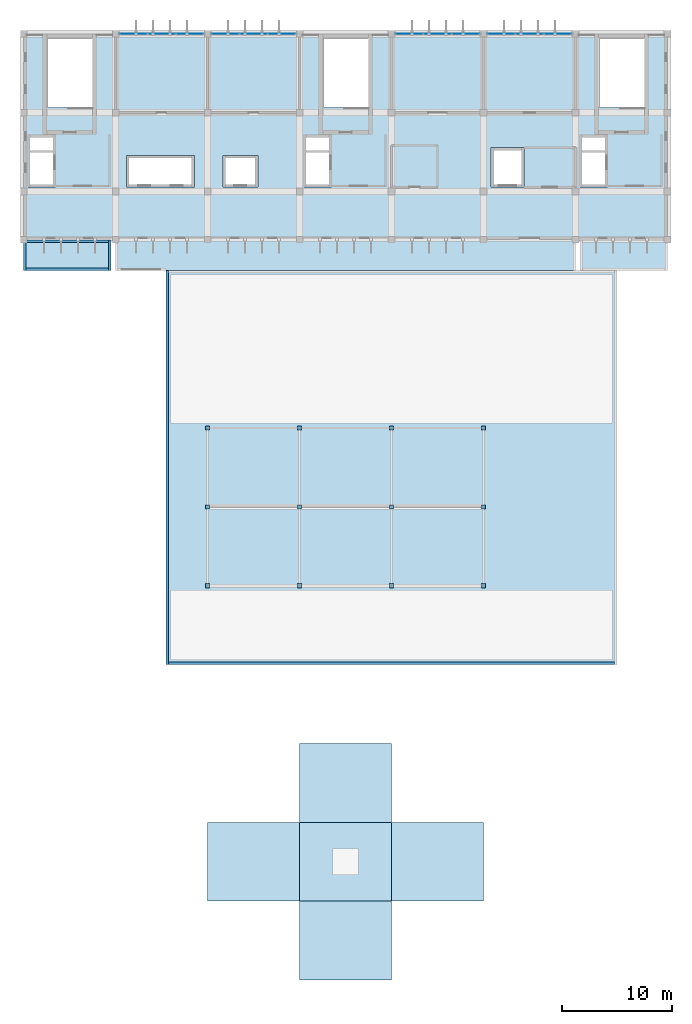
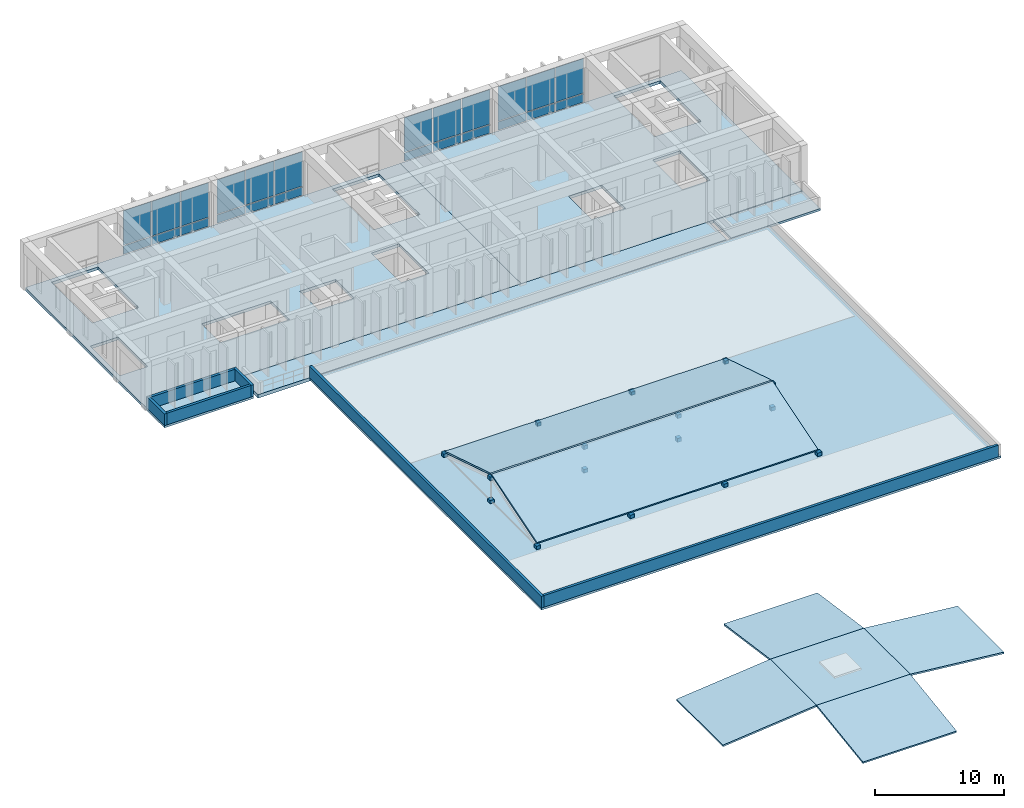
# One storey, part 10 of 16: 48 plates, 13 slabs, 6 walls, 4 elements without a shape of their own.
"""IFC4 building model written with IfcOpenShell, lengths in metres."""

from ifc_helpers import new_model, si_unit, direction, frame, frame_2d, origin, origin_2d, place, context, subcontext, project, spatial, polyline, rectangle, outline, extrude, material, layer, layer_set, type_object, element, aggregate, save


model = new_model("IFC4")

# Units and contexts
model_context = context("Model", 3, precision=1e-05, world=origin(), true_north=direction((0.0, 1.0)))
body_context = subcontext(model_context, "Body", "Model", "MODEL_VIEW")
ifc_project = project(units=[si_unit("LENGTHUNIT", "METRE"), si_unit("AREAUNIT", "SQUARE_METRE"), si_unit("VOLUMEUNIT", "CUBIC_METRE"), si_unit("PLANEANGLEUNIT", "RADIAN"), si_unit("MASSUNIT", "GRAM", prefix="KILO")], contexts=[model_context])

# Site, building, storey
site_placement = place(None, origin())
site = spatial("IfcSite", under=ifc_project, at=site_placement, CompositionType="ELEMENT")
building_placement = place(site_placement, origin())
building = spatial("IfcBuilding", under=site, at=building_placement, Name="Kenerak Square Central Library", CompositionType="ELEMENT")
storey_placement = place(building_placement, frame((0.0, 0.0, 27.840087890625)))
storey = spatial("IfcBuildingStorey", under=building, at=storey_placement, Name="L06", CompositionType="ELEMENT", Elevation=27.840087890625)

# Slabs
ifc_material_1 = material(Name="Precast concrete C40/50", Category="concrete")
ifc_layer_1 = layer(ifc_material_1, 0.14990234375)
ifc_layer_set_1 = layer_set([ifc_layer_1], Name="Precast concrete C40/50")
slab_type_1 = type_object("IfcSlabType", Name="Canopy and Lantern Eave Roof Deck RS-150 C40/50", PredefinedType="ROOF", material=ifc_layer_set_1)
for number, where, z_axis, x_axis, name in (
    (1, (75.199951171875, 60.06005859375, 0.47998046875), (0.0, -0.297496636914, 0.954722866085), (1.0, 0.0, 0.0), "Atrium Skylight Lantern Slope S"),
    (2, (75.199951171875, 67.280029296875, 2.679931640625), (0.0, 0.297496636914, 0.954722866085), (1.0, 0.0, 0.0), "Atrium Skylight Lantern Slope N"),
):
    element("IfcSlab", number, at=place(storey_placement, frame(where, z_axis=z_axis, x_axis=x_axis)), inside=storey, type_object=slab_type_1, Name=name, PredefinedType="ROOF", context=body_context, shape_type="SweptSolid", body=[
        extrude(outline(polyline([(0.0, 0.0), (25.199951171875, 0.0), (25.199951171875, 7.394877450358283), (0.0, 7.394877450358283), (0.0, 0.0)])), origin(), (0.0, 0.0, -1.0), 0.14990234375),
    ])
ifc_material_2 = material(Name="Steel S355", Category="steel")
ifc_layer_2 = layer(ifc_material_2, 0.159912109375)
ifc_layer_set_2 = layer_set([ifc_layer_2], Name="Steel S355")
slab_type_2 = type_object("IfcSlabType", Name="Gridshell Insulated Planar Roof Panel RS-160 S355", PredefinedType="ROOF", material=ifc_layer_set_2)
slab_1_placement = place(storey_placement, frame((75.199951171875, 31.199951171875, -1.22314453125), z_axis=(-0.100542943759, 0.0, 0.994932719565), x_axis=(0.994932719565, 0.0, 0.100542943759)))
element("IfcSlab", 3, at=slab_1_placement, inside=storey, type_object=slab_type_2, Name="Gridshell Roof Panel 3-3", PredefinedType="ROOF", context=body_context, shape_type="SweptSolid", body=[
    extrude(outline(polyline([(0.0, 0.0), (8.442929174196857, 0.0), (8.442929174196857, 7.199951171875), (0.0, 7.199951171875), (0.0, 0.0)])), origin(), (0.0, 0.0, -1.0), 0.159912109375),
])
slab_2_placement = place(storey_placement, frame((83.60009765625, 24.0, -1.398193359375), z_axis=(0.0, -0.140796238402, 0.990038594829), x_axis=(1.0, 0.0, 0.0)))
element("IfcSlab", 4, at=slab_2_placement, inside=storey, type_object=slab_type_2, Name="Gridshell Roof Panel 4-2", PredefinedType="ROOF", context=body_context, shape_type="SweptSolid", body=[
    extrude(outline(polyline([(0.0, 0.0), (8.39990234375, 0.0), (8.39990234375, 7.272394439446517), (0.0, 7.272394439446517), (0.0, 0.0)])), origin(), (0.0, 0.0, -1.0), 0.159912109375),
])
slab_3_placement = place(storey_placement, frame((83.60009765625, 31.199951171875, -0.374267578125), z_axis=(0.0, 0.0, 1.0), x_axis=(1.0, 0.0, 0.0)))
element("IfcSlab", 5, at=slab_3_placement, inside=storey, type_object=slab_type_2, Name="Gridshell Roof Panel 4-3", PredefinedType="ROOF", context=body_context, shape_type="SweptSolid", body=[
    extrude(outline(polyline([(0.0, 0.0), (8.39990234375, 0.0), (8.39990234375, 7.199951171875), (0.0, 7.199951171875), (0.0, 0.0)])), origin(), (0.0, 0.0, -1.0), 0.159912109375),
])
slab_4_placement = place(storey_placement, frame((83.60009765625, 38.39990234375, -0.374267578125), z_axis=(0.0, 0.140791558988, 0.990039260291), x_axis=(1.0, 0.0, 0.0)))
element("IfcSlab", 6, at=slab_4_placement, inside=storey, type_object=slab_type_2, Name="Gridshell Roof Panel 4-4", PredefinedType="ROOF", context=body_context, shape_type="SweptSolid", body=[
    extrude(outline(polyline([(0.0, 0.0), (8.39990234375, 0.0), (8.39990234375, 7.272636148169068), (0.0, 7.272636148169068), (0.0, 0.0)])), origin(), (0.0, 0.0, -1.0), 0.159912109375),
])
slab_5_placement = place(storey_placement, frame((92.0, 31.199951171875, -0.374267578125), z_axis=(0.100545836468, 0.0, 0.994932427238), x_axis=(0.994932427238, 0.0, -0.100545836468)))
element("IfcSlab", 7, at=slab_5_placement, inside=storey, type_object=slab_type_2, Name="Gridshell Roof Panel 5-3", PredefinedType="ROOF", context=body_context, shape_type="SweptSolid", body=[
    extrude(outline(polyline([(0.0, 0.0), (8.442686270736557, 0.0), (8.442686270736557, 7.199951171875002), (0.0, 7.199951171875002), (0.0, 0.0)])), origin(), (0.0, 0.0, -1.0), 0.159912109375),
])
ifc_material_3 = material(Name="Concrete C40/50", Category="concrete")
ifc_layer_3 = layer(ifc_material_3, 0.199951171875)
ifc_layer_set_3 = layer_set([ifc_layer_3], Name="Concrete C40/50")
slab_type_3 = type_object("IfcSlabType", Name="Heavyweight Stack Flat Roof Slab RS-200 C40/50", PredefinedType="ROOF", material=ifc_layer_set_3)
slab_6_placement = place(storey_placement, frame((0.0, 0.0, -0.2001953125)))
element("IfcSlab", 8, at=slab_6_placement, inside=storey, type_object=slab_type_3, Name="Stepped Stack Roof V5-L06-W", PredefinedType="ROOF", context=body_context, shape_type="SweptSolid", body=[
    extrude(outline(polyline([(58.39990234375, 88.800048828125), (66.39990234375, 88.800048828125), (66.39990234375, 91.550048828125), (58.39990234375, 91.550048828125), (58.39990234375, 88.800048828125)])), origin(), (0.0, 0.0, 1.0), 0.2001953125),
])
slab_7_placement = place(storey_placement, frame((0.0, 0.0, -0.2001953125)))
element("IfcSlab", 9, at=slab_7_placement, inside=storey, type_object=slab_type_3, Name="Stepped Stack Roof V5-L06-E", PredefinedType="ROOF", context=body_context, shape_type="SweptSolid", body=[
    extrude(outline(polyline([(109.199951171875, 88.800048828125), (117.199951171875, 88.800048828125), (117.199951171875, 91.550048828125), (109.199951171875, 91.550048828125), (109.199951171875, 88.800048828125)])), origin(), (0.0, 0.0, 1.0), 0.2001953125),
])
slab_8_placement = place(storey_placement, frame((0.0, 0.0, -0.2001953125)))
element("IfcSlab", 10, at=slab_8_placement, inside=storey, type_object=slab_type_3, Name="Atrium Wing Main Roof Slab L06", PredefinedType="ROOF", context=body_context, shape_type="SweptSolid", body=[
    extrude(outline(polyline([(71.39990234375, 52.800048828125), (71.39990234375, 88.75), (112.60009765625, 88.75), (112.60009765625, 52.800048828125), (71.39990234375, 52.800048828125)])), origin(), (0.0, 0.0, 1.0), 0.2001953125),
])

# Plates
ifc_layer_4 = layer(ifc_material_2, 0.02490234375)
ifc_layer_set_4 = layer_set([ifc_layer_4], Name="Steel S355")
plate_type_1 = type_object("IfcPlateType", Name="Lantern Cap Plate LNP-01 25mm S355", PredefinedType="USERDEFINED", material=ifc_layer_set_4)
for number, where, z_axis, x_axis, name in (
    (11, (75.199951171875, 60.0, 0.0), (0.0, 0.0, 1.0), (1.0, 0.0, 0.0), "Lantern Base Plate LNP-01 0222"),
    (12, (75.199951171875, 74.39990234375, 0.0), (0.0, 0.0, 1.0), (1.0, 0.0, 0.0), "Lantern Base Plate LNP-01 0223"),
):
    element("IfcPlate", number, at=place(storey_placement, frame(where, z_axis=z_axis, x_axis=x_axis)), inside=storey, type_object=plate_type_1, Name=name, ObjectType="GUSSET PLATE", PredefinedType="USERDEFINED", context=body_context, shape_type="SweptSolid", body=[
        extrude(rectangle(XDim=0.320068359375, YDim=0.320068359375, at=origin_2d()), origin(), (0.0, 0.0, 1.0), 0.280029296875),
    ])
for number, where, z_axis, x_axis, name in (
    (13, (75.199951171875, 60.0, -0.02001953125), (0.0, 0.0, 1.0), (1.0, 0.0, 0.0), "Lantern Node Cap Plate LNP-01 0224"),
    (14, (75.199951171875, 67.199951171875, -0.0703125), (0.0, 0.0, 1.0), (1.0, 0.0, 0.0), "Lantern Node Cap Plate LNP-01 0225"),
    (15, (75.199951171875, 67.199951171875, 2.15966796875), (0.0, 0.0, 1.0), (1.0, 0.0, 0.0), "Lantern Node Cap Plate LNP-01 0226"),
    (16, (75.199951171875, 74.39990234375, -0.02001953125), (0.0, 0.0, 1.0), (1.0, 0.0, 0.0), "Lantern Node Cap Plate LNP-01 0227"),
):
    element("IfcPlate", number, at=place(storey_placement, frame(where, z_axis=z_axis, x_axis=x_axis)), inside=storey, type_object=plate_type_1, Name=name, ObjectType="GUSSET PLATE", PredefinedType="USERDEFINED", context=body_context, shape_type="SweptSolid", body=[
        extrude(rectangle(XDim=0.3798828125, YDim=0.3798828125, at=origin_2d()), origin(), (0.0, 0.0, 1.0), 0.360107421875),
    ])
for number, where, z_axis, x_axis, name in (
    (17, (83.60009765625, 60.0, 0.0), (0.0, 0.0, 1.0), (1.0, 0.0, 0.0), "Lantern Base Plate LNP-01 0228"),
    (18, (83.60009765625, 74.39990234375, 0.0), (0.0, 0.0, 1.0), (1.0, 0.0, 0.0), "Lantern Base Plate LNP-01 0229"),
):
    element("IfcPlate", number, at=place(storey_placement, frame(where, z_axis=z_axis, x_axis=x_axis)), inside=storey, type_object=plate_type_1, Name=name, ObjectType="GUSSET PLATE", PredefinedType="USERDEFINED", context=body_context, shape_type="SweptSolid", body=[
        extrude(rectangle(XDim=0.320068359375, YDim=0.320068359375, at=origin_2d()), origin(), (0.0, 0.0, 1.0), 0.280029296875),
    ])
for number, where, z_axis, x_axis, name in (
    (19, (83.60009765625, 60.0, -0.02001953125), (0.0, 0.0, 1.0), (1.0, 0.0, 0.0), "Lantern Node Cap Plate LNP-01 0230"),
    (20, (83.60009765625, 67.199951171875, -0.0703125), (0.0, 0.0, 1.0), (1.0, 0.0, 0.0), "Lantern Node Cap Plate LNP-01 0231"),
    (21, (83.60009765625, 67.199951171875, 2.15966796875), (0.0, 0.0, 1.0), (1.0, 0.0, 0.0), "Lantern Node Cap Plate LNP-01 0232"),
    (22, (83.60009765625, 74.39990234375, -0.02001953125), (0.0, 0.0, 1.0), (1.0, 0.0, 0.0), "Lantern Node Cap Plate LNP-01 0233"),
):
    element("IfcPlate", number, at=place(storey_placement, frame(where, z_axis=z_axis, x_axis=x_axis)), inside=storey, type_object=plate_type_1, Name=name, ObjectType="GUSSET PLATE", PredefinedType="USERDEFINED", context=body_context, shape_type="SweptSolid", body=[
        extrude(rectangle(XDim=0.3798828125, YDim=0.3798828125, at=origin_2d()), origin(), (0.0, 0.0, 1.0), 0.360107421875),
    ])
for number, where, z_axis, x_axis, name in (
    (23, (92.0, 60.0, 0.0), (0.0, 0.0, 1.0), (1.0, 0.0, 0.0), "Lantern Base Plate LNP-01 0234"),
    (24, (92.0, 74.39990234375, 0.0), (0.0, 0.0, 1.0), (1.0, 0.0, 0.0), "Lantern Base Plate LNP-01 0235"),
):
    element("IfcPlate", number, at=place(storey_placement, frame(where, z_axis=z_axis, x_axis=x_axis)), inside=storey, type_object=plate_type_1, Name=name, ObjectType="GUSSET PLATE", PredefinedType="USERDEFINED", context=body_context, shape_type="SweptSolid", body=[
        extrude(rectangle(XDim=0.320068359375, YDim=0.320068359375, at=origin_2d()), origin(), (0.0, 0.0, 1.0), 0.280029296875),
    ])
for number, where, z_axis, x_axis, name in (
    (25, (92.0, 60.0, -0.02001953125), (0.0, 0.0, 1.0), (1.0, 0.0, 0.0), "Lantern Node Cap Plate LNP-01 0236"),
    (26, (92.0, 67.199951171875, -0.0703125), (0.0, 0.0, 1.0), (1.0, 0.0, 0.0), "Lantern Node Cap Plate LNP-01 0237"),
    (27, (92.0, 67.199951171875, 2.15966796875), (0.0, 0.0, 1.0), (1.0, 0.0, 0.0), "Lantern Node Cap Plate LNP-01 0238"),
    (28, (92.0, 74.39990234375, -0.02001953125), (0.0, 0.0, 1.0), (1.0, 0.0, 0.0), "Lantern Node Cap Plate LNP-01 0239"),
):
    element("IfcPlate", number, at=place(storey_placement, frame(where, z_axis=z_axis, x_axis=x_axis)), inside=storey, type_object=plate_type_1, Name=name, ObjectType="GUSSET PLATE", PredefinedType="USERDEFINED", context=body_context, shape_type="SweptSolid", body=[
        extrude(rectangle(XDim=0.3798828125, YDim=0.3798828125, at=origin_2d()), origin(), (0.0, 0.0, 1.0), 0.360107421875),
    ])
for number, where, z_axis, x_axis, name in (
    (29, (100.39990234375, 60.0, 0.0), (0.0, 0.0, 1.0), (1.0, 0.0, 0.0), "Lantern Base Plate LNP-01 0240"),
    (30, (100.39990234375, 74.39990234375, 0.0), (0.0, 0.0, 1.0), (1.0, 0.0, 0.0), "Lantern Base Plate LNP-01 0241"),
):
    element("IfcPlate", number, at=place(storey_placement, frame(where, z_axis=z_axis, x_axis=x_axis)), inside=storey, type_object=plate_type_1, Name=name, ObjectType="GUSSET PLATE", PredefinedType="USERDEFINED", context=body_context, shape_type="SweptSolid", body=[
        extrude(rectangle(XDim=0.320068359375, YDim=0.320068359375, at=origin_2d()), origin(), (0.0, 0.0, 1.0), 0.280029296875),
    ])
for number, where, z_axis, x_axis, name in (
    (31, (100.39990234375, 60.0, -0.02001953125), (0.0, 0.0, 1.0), (1.0, 0.0, 0.0), "Lantern Node Cap Plate LNP-01 0242"),
    (32, (100.39990234375, 67.199951171875, -0.0703125), (0.0, 0.0, 1.0), (1.0, 0.0, 0.0), "Lantern Node Cap Plate LNP-01 0243"),
    (33, (100.39990234375, 67.199951171875, 2.15966796875), (0.0, 0.0, 1.0), (1.0, 0.0, 0.0), "Lantern Node Cap Plate LNP-01 0244"),
    (34, (100.39990234375, 74.39990234375, -0.02001953125), (0.0, 0.0, 1.0), (1.0, 0.0, 0.0), "Lantern Node Cap Plate LNP-01 0245"),
):
    element("IfcPlate", number, at=place(storey_placement, frame(where, z_axis=z_axis, x_axis=x_axis)), inside=storey, type_object=plate_type_1, Name=name, ObjectType="GUSSET PLATE", PredefinedType="USERDEFINED", context=body_context, shape_type="SweptSolid", body=[
        extrude(rectangle(XDim=0.3798828125, YDim=0.3798828125, at=origin_2d()), origin(), (0.0, 0.0, 1.0), 0.360107421875),
    ])

# Slabs
ifc_layer_5 = layer(ifc_material_3, 0.27490234375)
ifc_layer_set_5 = layer_set([ifc_layer_5], Name="Concrete C40/50")
slab_type_4 = type_object("IfcSlabType", Name="Open Book-Stack Slab FS-275 C40/50", PredefinedType="FLOOR", material=ifc_layer_set_5)
slab_9_placement = place(storey_placement, frame((0.0, 0.0, -0.275146484375)))
element("IfcSlab", 35, at=slab_9_placement, inside=storey, type_object=slab_type_4, Name="V5 Floor Slab L06 095", PredefinedType="FLOOR", context=body_context, shape_type="SweptSolid", body=[
    extrude(outline(polyline([(92.0, 91.60009765625), (92.0, 110.39990234375), (58.39990234375, 110.39990234375), (58.39990234375, 91.60009765625), (92.0, 91.60009765625)]), holes=[polyline([(64.679931640625, 103.64990234375), (64.679931640625, 110.0), (60.52001953125, 110.0), (60.52001953125, 103.64990234375), (64.679931640625, 103.64990234375)]), polyline([(89.8798828125, 103.64990234375), (89.8798828125, 110.0), (85.719970703125, 110.0), (85.719970703125, 103.64990234375), (89.8798828125, 103.64990234375)]), polyline([(67.800048828125, 96.39990234375), (74.0, 96.39990234375), (74.0, 99.300048828125), (67.800048828125, 99.300048828125), (67.800048828125, 96.39990234375)]), polyline([(76.60009765625, 96.39990234375), (79.800048828125, 96.39990234375), (79.800048828125, 99.300048828125), (76.60009765625, 99.300048828125), (76.60009765625, 96.39990234375)]), polyline([(58.800048828125, 96.39990234375), (61.300048828125, 96.39990234375), (61.300048828125, 101.0), (58.800048828125, 101.0), (58.800048828125, 96.39990234375)]), polyline([(84.0, 96.39990234375), (86.5, 96.39990234375), (86.5, 101.0), (84.0, 101.0), (84.0, 96.39990234375)])]), origin(), (0.0, 0.0, 1.0), 0.275146484375),
])
slab_10_placement = place(storey_placement, frame((0.0, 0.0, -0.275146484375)))
element("IfcSlab", 36, at=slab_10_placement, inside=storey, type_object=slab_type_4, Name="V5 Floor Slab L06 096", PredefinedType="FLOOR", context=body_context, shape_type="SweptSolid", body=[
    extrude(outline(polyline([(117.199951171875, 91.60009765625), (117.199951171875, 110.39990234375), (92.0, 110.39990234375), (92.0, 91.60009765625), (117.199951171875, 91.60009765625)]), holes=[polyline([(115.080078125, 103.64990234375), (115.080078125, 110.0), (110.919921875, 110.0), (110.919921875, 103.64990234375), (115.080078125, 103.64990234375)]), polyline([(109.199951171875, 96.39990234375), (111.699951171875, 96.39990234375), (111.699951171875, 101.0), (109.199951171875, 101.0), (109.199951171875, 96.39990234375)]), polyline([(101.10009765625, 96.39990234375), (104.10009765625, 96.39990234375), (104.10009765625, 100.0), (101.10009765625, 100.0), (101.10009765625, 96.39990234375)])]), origin(), (0.0, 0.0, 1.0), 0.275146484375),
])
ifc_layer_6 = layer(ifc_material_3, 0.324951171875)
ifc_layer_set_6 = layer_set([ifc_layer_6], Name="Concrete C40/50")
slab_type_5 = type_object("IfcSlabType", Name="Planted Reading Terrace Slab TS-325 C40/50", PredefinedType="FLOOR", material=ifc_layer_set_6)
slab_11_placement = place(storey_placement, frame((0.0, 0.0, -0.3251953125)))
element("IfcSlab", 37, at=slab_11_placement, inside=storey, type_object=slab_type_5, Name="Scholars South Reading Terrace L06", PredefinedType="FLOOR", context=body_context, shape_type="SweptSolid", body=[
    extrude(outline(polyline([(66.800048828125, 88.800048828125), (108.800048828125, 88.800048828125), (108.800048828125, 91.60009765625), (66.800048828125, 91.60009765625), (66.800048828125, 88.800048828125)])), origin(), (0.0, 0.0, 1.0), 0.3251953125),
])

# Curtain wall, plates
ifc_material_4 = material(Name="Anodised aluminium and solar-control low-E glazing", Category="aluminium")
curtain_wall_type = type_object("IfcCurtainWallType", Name="Curtain Wall CW-V5-78x42 7800x4280", PredefinedType="USERDEFINED", material=ifc_material_4)
curtain_wall_1_placement = place(storey_placement, origin())
curtain_wall_1 = element("IfcCurtainWall", 38, at=curtain_wall_1_placement, inside=storey, type_object=curtain_wall_type, Name="Curtain Wall CW-V5-78x42 L06 0163", ObjectType="CURTAIN WALL", PredefinedType="USERDEFINED")
ifc_material_5 = material(Name="UV-filtered low-E laminated glazing", Category="glass")
ifc_layer_7 = layer(ifc_material_5, 0.035888671875)
ifc_layer_set_7 = layer_set([ifc_layer_7], Name="UV-filtered low-E laminated glazing")
plate_type_2 = type_object("IfcPlateType", Name="UV-Filtered Archive Glazing Panel CP-36", PredefinedType="CURTAIN_PANEL", material=ifc_layer_set_7)
plate_1_placement = place(storey_placement, frame((68.418701171875, 110.39990234375, 0.074951171875), z_axis=(0.0, 0.0, 1.0), x_axis=(1.0, 0.0, 0.0)))
plate_1 = element("IfcPlate", 39, at=plate_1_placement, type_object=plate_type_2, Name="CW-V5-78x42 Panel 1.1", PredefinedType="CURTAIN_PANEL", context=body_context, shape_type="SweptSolid", body=[
    extrude(rectangle(XDim=2.487548828125, YDim=0.035888671875, at=origin_2d()), origin(), (0.0, 0.0, 1.0), 0.78759765625),
])
plate_2_placement = place(storey_placement, frame((68.418701171875, 110.39990234375, 0.937255859375), z_axis=(0.0, 0.0, 1.0), x_axis=(1.0, 0.0, 0.0)))
plate_2 = element("IfcPlate", 40, at=plate_2_placement, type_object=plate_type_2, Name="CW-V5-78x42 Panel 1.2", PredefinedType="CURTAIN_PANEL", context=body_context, shape_type="SweptSolid", body=[
    extrude(rectangle(XDim=2.487548828125, YDim=0.035888671875, at=origin_2d()), origin(), (0.0, 0.0, 1.0), 3.267578125),
])
plate_3_placement = place(storey_placement, frame((71.0, 110.39990234375, 0.074951171875), z_axis=(0.0, 0.0, 1.0), x_axis=(1.0, 0.0, 0.0)))
plate_3 = element("IfcPlate", 41, at=plate_3_placement, type_object=plate_type_2, Name="CW-V5-78x42 Panel 2.1", PredefinedType="CURTAIN_PANEL", context=body_context, shape_type="SweptSolid", body=[
    extrude(rectangle(XDim=2.52490234375, YDim=0.035888671875, at=origin_2d()), origin(), (0.0, 0.0, 1.0), 0.78759765625),
])
plate_4_placement = place(storey_placement, frame((71.0, 110.39990234375, 0.937255859375), z_axis=(0.0, 0.0, 1.0), x_axis=(1.0, 0.0, 0.0)))
plate_4 = element("IfcPlate", 42, at=plate_4_placement, type_object=plate_type_2, Name="CW-V5-78x42 Panel 2.2", PredefinedType="CURTAIN_PANEL", context=body_context, shape_type="SweptSolid", body=[
    extrude(rectangle(XDim=2.52490234375, YDim=0.035888671875, at=origin_2d()), origin(), (0.0, 0.0, 1.0), 3.267578125),
])
plate_5_placement = place(storey_placement, frame((73.581298828125, 110.39990234375, 0.074951171875), z_axis=(0.0, 0.0, 1.0), x_axis=(1.0, 0.0, 0.0)))
plate_5 = element("IfcPlate", 43, at=plate_5_placement, type_object=plate_type_2, Name="CW-V5-78x42 Panel 3.1", PredefinedType="CURTAIN_PANEL", context=body_context, shape_type="SweptSolid", body=[
    extrude(rectangle(XDim=2.487548828125, YDim=0.035888671875, at=origin_2d()), origin(), (0.0, 0.0, 1.0), 0.78759765625),
])
plate_6_placement = place(storey_placement, frame((73.581298828125, 110.39990234375, 0.937255859375), z_axis=(0.0, 0.0, 1.0), x_axis=(1.0, 0.0, 0.0)))
plate_6 = element("IfcPlate", 44, at=plate_6_placement, type_object=plate_type_2, Name="CW-V5-78x42 Panel 3.2", PredefinedType="CURTAIN_PANEL", context=body_context, shape_type="SweptSolid", body=[
    extrude(rectangle(XDim=2.487548828125, YDim=0.035888671875, at=origin_2d()), origin(), (0.0, 0.0, 1.0), 3.267578125),
])
aggregate(curtain_wall_1, [plate_1, plate_2, plate_3, plate_4, plate_5, plate_6])

curtain_wall_2_placement = place(storey_placement, origin())
curtain_wall_2 = element("IfcCurtainWall", 45, at=curtain_wall_2_placement, inside=storey, type_object=curtain_wall_type, Name="Curtain Wall CW-V5-78x42 L06 0164", ObjectType="CURTAIN WALL", PredefinedType="USERDEFINED")
plate_7_placement = place(storey_placement, frame((76.81884765625, 110.39990234375, 0.074951171875), z_axis=(0.0, 0.0, 1.0), x_axis=(1.0, 0.0, 0.0)))
plate_7 = element("IfcPlate", 46, at=plate_7_placement, type_object=plate_type_2, Name="CW-V5-78x42 Panel 1.1", PredefinedType="CURTAIN_PANEL", context=body_context, shape_type="SweptSolid", body=[
    extrude(rectangle(XDim=2.487548828125, YDim=0.035888671875, at=origin_2d()), origin(), (0.0, 0.0, 1.0), 0.78759765625),
])
plate_8_placement = place(storey_placement, frame((76.81884765625, 110.39990234375, 0.937255859375), z_axis=(0.0, 0.0, 1.0), x_axis=(1.0, 0.0, 0.0)))
plate_8 = element("IfcPlate", 47, at=plate_8_placement, type_object=plate_type_2, Name="CW-V5-78x42 Panel 1.2", PredefinedType="CURTAIN_PANEL", context=body_context, shape_type="SweptSolid", body=[
    extrude(rectangle(XDim=2.487548828125, YDim=0.035888671875, at=origin_2d()), origin(), (0.0, 0.0, 1.0), 3.267578125),
])
plate_9_placement = place(storey_placement, frame((79.39990234375, 110.39990234375, 0.074951171875), z_axis=(0.0, 0.0, 1.0), x_axis=(1.0, 0.0, 0.0)))
plate_9 = element("IfcPlate", 48, at=plate_9_placement, type_object=plate_type_2, Name="CW-V5-78x42 Panel 2.1", PredefinedType="CURTAIN_PANEL", context=body_context, shape_type="SweptSolid", body=[
    extrude(rectangle(XDim=2.52490234375, YDim=0.035888671875, at=origin_2d()), origin(), (0.0, 0.0, 1.0), 0.78759765625),
])
plate_10_placement = place(storey_placement, frame((79.39990234375, 110.39990234375, 0.937255859375), z_axis=(0.0, 0.0, 1.0), x_axis=(1.0, 0.0, 0.0)))
plate_10 = element("IfcPlate", 49, at=plate_10_placement, type_object=plate_type_2, Name="CW-V5-78x42 Panel 2.2", PredefinedType="CURTAIN_PANEL", context=body_context, shape_type="SweptSolid", body=[
    extrude(rectangle(XDim=2.52490234375, YDim=0.035888671875, at=origin_2d()), origin(), (0.0, 0.0, 1.0), 3.267578125),
])
plate_11_placement = place(storey_placement, frame((81.981201171875, 110.39990234375, 0.074951171875), z_axis=(0.0, 0.0, 1.0), x_axis=(1.0, 0.0, 0.0)))
plate_11 = element("IfcPlate", 50, at=plate_11_placement, type_object=plate_type_2, Name="CW-V5-78x42 Panel 3.1", PredefinedType="CURTAIN_PANEL", context=body_context, shape_type="SweptSolid", body=[
    extrude(rectangle(XDim=2.487548828125, YDim=0.035888671875, at=origin_2d()), origin(), (0.0, 0.0, 1.0), 0.78759765625),
])
plate_12_placement = place(storey_placement, frame((81.981201171875, 110.39990234375, 0.937255859375), z_axis=(0.0, 0.0, 1.0), x_axis=(1.0, 0.0, 0.0)))
plate_12 = element("IfcPlate", 51, at=plate_12_placement, type_object=plate_type_2, Name="CW-V5-78x42 Panel 3.2", PredefinedType="CURTAIN_PANEL", context=body_context, shape_type="SweptSolid", body=[
    extrude(rectangle(XDim=2.487548828125, YDim=0.035888671875, at=origin_2d()), origin(), (0.0, 0.0, 1.0), 3.267578125),
])
aggregate(curtain_wall_2, [plate_7, plate_8, plate_9, plate_10, plate_11, plate_12])

curtain_wall_3_placement = place(storey_placement, origin())
curtain_wall_3 = element("IfcCurtainWall", 52, at=curtain_wall_3_placement, inside=storey, type_object=curtain_wall_type, Name="Curtain Wall CW-V5-78x42 L06 0165", ObjectType="CURTAIN WALL", PredefinedType="USERDEFINED")
plate_13_placement = place(storey_placement, frame((93.61865234375, 110.39990234375, 0.074951171875), z_axis=(0.0, 0.0, 1.0), x_axis=(1.0, 0.0, 0.0)))
plate_13 = element("IfcPlate", 53, at=plate_13_placement, type_object=plate_type_2, Name="CW-V5-78x42 Panel 1.1", PredefinedType="CURTAIN_PANEL", context=body_context, shape_type="SweptSolid", body=[
    extrude(rectangle(XDim=2.487548828125, YDim=0.035888671875, at=origin_2d()), origin(), (0.0, 0.0, 1.0), 0.78759765625),
])
plate_14_placement = place(storey_placement, frame((93.61865234375, 110.39990234375, 0.937255859375), z_axis=(0.0, 0.0, 1.0), x_axis=(1.0, 0.0, 0.0)))
plate_14 = element("IfcPlate", 54, at=plate_14_placement, type_object=plate_type_2, Name="CW-V5-78x42 Panel 1.2", PredefinedType="CURTAIN_PANEL", context=body_context, shape_type="SweptSolid", body=[
    extrude(rectangle(XDim=2.487548828125, YDim=0.035888671875, at=origin_2d()), origin(), (0.0, 0.0, 1.0), 3.267578125),
])
plate_15_placement = place(storey_placement, frame((96.199951171875, 110.39990234375, 0.074951171875), z_axis=(0.0, 0.0, 1.0), x_axis=(1.0, 0.0, 0.0)))
plate_15 = element("IfcPlate", 55, at=plate_15_placement, type_object=plate_type_2, Name="CW-V5-78x42 Panel 2.1", PredefinedType="CURTAIN_PANEL", context=body_context, shape_type="SweptSolid", body=[
    extrude(rectangle(XDim=2.52490234375, YDim=0.035888671875, at=origin_2d()), origin(), (0.0, 0.0, 1.0), 0.78759765625),
])
plate_16_placement = place(storey_placement, frame((96.199951171875, 110.39990234375, 0.937255859375), z_axis=(0.0, 0.0, 1.0), x_axis=(1.0, 0.0, 0.0)))
plate_16 = element("IfcPlate", 56, at=plate_16_placement, type_object=plate_type_2, Name="CW-V5-78x42 Panel 2.2", PredefinedType="CURTAIN_PANEL", context=body_context, shape_type="SweptSolid", body=[
    extrude(rectangle(XDim=2.52490234375, YDim=0.035888671875, at=origin_2d()), origin(), (0.0, 0.0, 1.0), 3.267578125),
])
plate_17_placement = place(storey_placement, frame((98.78125, 110.39990234375, 0.074951171875), z_axis=(0.0, 0.0, 1.0), x_axis=(1.0, 0.0, 0.0)))
plate_17 = element("IfcPlate", 57, at=plate_17_placement, type_object=plate_type_2, Name="CW-V5-78x42 Panel 3.1", PredefinedType="CURTAIN_PANEL", context=body_context, shape_type="SweptSolid", body=[
    extrude(rectangle(XDim=2.487548828125, YDim=0.035888671875, at=origin_2d()), origin(), (0.0, 0.0, 1.0), 0.78759765625),
])
plate_18_placement = place(storey_placement, frame((98.78125, 110.39990234375, 0.937255859375), z_axis=(0.0, 0.0, 1.0), x_axis=(1.0, 0.0, 0.0)))
plate_18 = element("IfcPlate", 58, at=plate_18_placement, type_object=plate_type_2, Name="CW-V5-78x42 Panel 3.2", PredefinedType="CURTAIN_PANEL", context=body_context, shape_type="SweptSolid", body=[
    extrude(rectangle(XDim=2.487548828125, YDim=0.035888671875, at=origin_2d()), origin(), (0.0, 0.0, 1.0), 3.267578125),
])
aggregate(curtain_wall_3, [plate_13, plate_14, plate_15, plate_16, plate_17, plate_18])

curtain_wall_4_placement = place(storey_placement, origin())
curtain_wall_4 = element("IfcCurtainWall", 59, at=curtain_wall_4_placement, inside=storey, type_object=curtain_wall_type, Name="Curtain Wall CW-V5-78x42 L06 0166", ObjectType="CURTAIN WALL", PredefinedType="USERDEFINED")
plate_19_placement = place(storey_placement, frame((102.018798828125, 110.39990234375, 0.074951171875), z_axis=(0.0, 0.0, 1.0), x_axis=(1.0, 0.0, 0.0)))
plate_19 = element("IfcPlate", 60, at=plate_19_placement, type_object=plate_type_2, Name="CW-V5-78x42 Panel 1.1", PredefinedType="CURTAIN_PANEL", context=body_context, shape_type="SweptSolid", body=[
    extrude(rectangle(XDim=2.487548828125, YDim=0.035888671875, at=origin_2d()), origin(), (0.0, 0.0, 1.0), 0.78759765625),
])
plate_20_placement = place(storey_placement, frame((102.018798828125, 110.39990234375, 0.937255859375), z_axis=(0.0, 0.0, 1.0), x_axis=(1.0, 0.0, 0.0)))
plate_20 = element("IfcPlate", 61, at=plate_20_placement, type_object=plate_type_2, Name="CW-V5-78x42 Panel 1.2", PredefinedType="CURTAIN_PANEL", context=body_context, shape_type="SweptSolid", body=[
    extrude(rectangle(XDim=2.487548828125, YDim=0.035888671875, at=origin_2d()), origin(), (0.0, 0.0, 1.0), 3.267578125),
])
plate_21_placement = place(storey_placement, frame((104.60009765625, 110.39990234375, 0.074951171875), z_axis=(0.0, 0.0, 1.0), x_axis=(1.0, 0.0, 0.0)))
plate_21 = element("IfcPlate", 62, at=plate_21_placement, type_object=plate_type_2, Name="CW-V5-78x42 Panel 2.1", PredefinedType="CURTAIN_PANEL", context=body_context, shape_type="SweptSolid", body=[
    extrude(rectangle(XDim=2.52490234375, YDim=0.035888671875, at=origin_2d()), origin(), (0.0, 0.0, 1.0), 0.78759765625),
])
plate_22_placement = place(storey_placement, frame((104.60009765625, 110.39990234375, 0.937255859375), z_axis=(0.0, 0.0, 1.0), x_axis=(1.0, 0.0, 0.0)))
plate_22 = element("IfcPlate", 63, at=plate_22_placement, type_object=plate_type_2, Name="CW-V5-78x42 Panel 2.2", PredefinedType="CURTAIN_PANEL", context=body_context, shape_type="SweptSolid", body=[
    extrude(rectangle(XDim=2.52490234375, YDim=0.035888671875, at=origin_2d()), origin(), (0.0, 0.0, 1.0), 3.267578125),
])
plate_23_placement = place(storey_placement, frame((107.18115234375, 110.39990234375, 0.074951171875), z_axis=(0.0, 0.0, 1.0), x_axis=(1.0, 0.0, 0.0)))
plate_23 = element("IfcPlate", 64, at=plate_23_placement, type_object=plate_type_2, Name="CW-V5-78x42 Panel 3.1", PredefinedType="CURTAIN_PANEL", context=body_context, shape_type="SweptSolid", body=[
    extrude(rectangle(XDim=2.487548828125, YDim=0.035888671875, at=origin_2d()), origin(), (0.0, 0.0, 1.0), 0.78759765625),
])
plate_24_placement = place(storey_placement, frame((107.18115234375, 110.39990234375, 0.937255859375), z_axis=(0.0, 0.0, 1.0), x_axis=(1.0, 0.0, 0.0)))
plate_24 = element("IfcPlate", 65, at=plate_24_placement, type_object=plate_type_2, Name="CW-V5-78x42 Panel 3.2", PredefinedType="CURTAIN_PANEL", context=body_context, shape_type="SweptSolid", body=[
    extrude(rectangle(XDim=2.487548828125, YDim=0.035888671875, at=origin_2d()), origin(), (0.0, 0.0, 1.0), 3.267578125),
])
aggregate(curtain_wall_4, [plate_19, plate_20, plate_21, plate_22, plate_23, plate_24])

# Walls
ifc_layer_8 = layer(ifc_material_3, 0.22509765625)
ifc_layer_set_8 = layer_set([ifc_layer_8], Name="Concrete C40/50")
wall_type = type_object("IfcWallType", Name="Roof Parapet Wall PW-225 C40/50", PredefinedType="PARAPET", material=ifc_layer_set_8)
wall_1_placement = place(storey_placement, frame((71.512451171875, 52.800048828125, 0.0), z_axis=(0.0, 0.0, 1.0), x_axis=(0.0, 1.0, 0.0)))
element("IfcWall", 66, at=wall_1_placement, inside=storey, type_object=wall_type, Name="Core Wall PAR-L06-V4 L06 West", PredefinedType="PARAPET", context=body_context, shape_type="SweptSolid", body=[
    extrude(rectangle(XDim=36.0, YDim=0.22509765625, at=frame_2d((18.0, 0.0))), origin(), (0.0, 0.0, 1.0), 1.099853515625),
])
wall_2_placement = place(storey_placement, frame((112.375, 52.91259765625, 0.0), z_axis=(0.0, 0.0, 1.0), x_axis=(-1.0, 0.0, 0.0)))
element("IfcWall", 67, at=wall_2_placement, inside=storey, type_object=wall_type, Name="Core Wall PAR-L06-V4 L06 South", PredefinedType="PARAPET", context=body_context, shape_type="SweptSolid", body=[
    extrude(rectangle(XDim=40.75, YDim=0.22509765625, at=frame_2d((20.375, 0.0))), origin(), (0.0, 0.0, 1.0), 1.099853515625),
])
for number, where, z_axis, x_axis, name in (
    (68, (58.512451171875, 88.800048828125, 0.0), (0.0, 0.0, 1.0), (0.0, 1.0, 0.0), "Core Wall PAR-L06-V5W L06 West"),
    (69, (66.28759765625, 91.550048828125, 0.0), (0.0, 0.0, 1.0), (0.0, -1.0, 0.0), "Core Wall PAR-L06-V5W L06 East"),
):
    element("IfcWall", number, at=place(storey_placement, frame(where, z_axis=z_axis, x_axis=x_axis)), inside=storey, type_object=wall_type, Name=name, PredefinedType="PARAPET", context=body_context, shape_type="SweptSolid", body=[
        extrude(rectangle(XDim=2.75, YDim=0.22509765625, at=frame_2d((1.375, 0.0))), origin(), (0.0, 0.0, 1.0), 1.099853515625),
    ])
for number, where, z_axis, x_axis, name in (
    (70, (66.175048828125, 88.91259765625, 0.0), (0.0, 0.0, 1.0), (-1.0, 0.0, 0.0), "Core Wall PAR-L06-V5W L06 South"),
    (71, (58.625, 91.4375, 0.0), (0.0, 0.0, 1.0), (1.0, 0.0, 0.0), "Core Wall PAR-L06-V5W L06 North"),
):
    element("IfcWall", number, at=place(storey_placement, frame(where, z_axis=z_axis, x_axis=x_axis)), inside=storey, type_object=wall_type, Name=name, PredefinedType="PARAPET", context=body_context, shape_type="SweptSolid", body=[
        extrude(rectangle(XDim=7.550048828125, YDim=0.22509765625, at=frame_2d((3.77490234375, 0.0))), origin(), (0.0, 0.0, 1.0), 1.099853515625),
    ])

save(model, "model.ifc")
